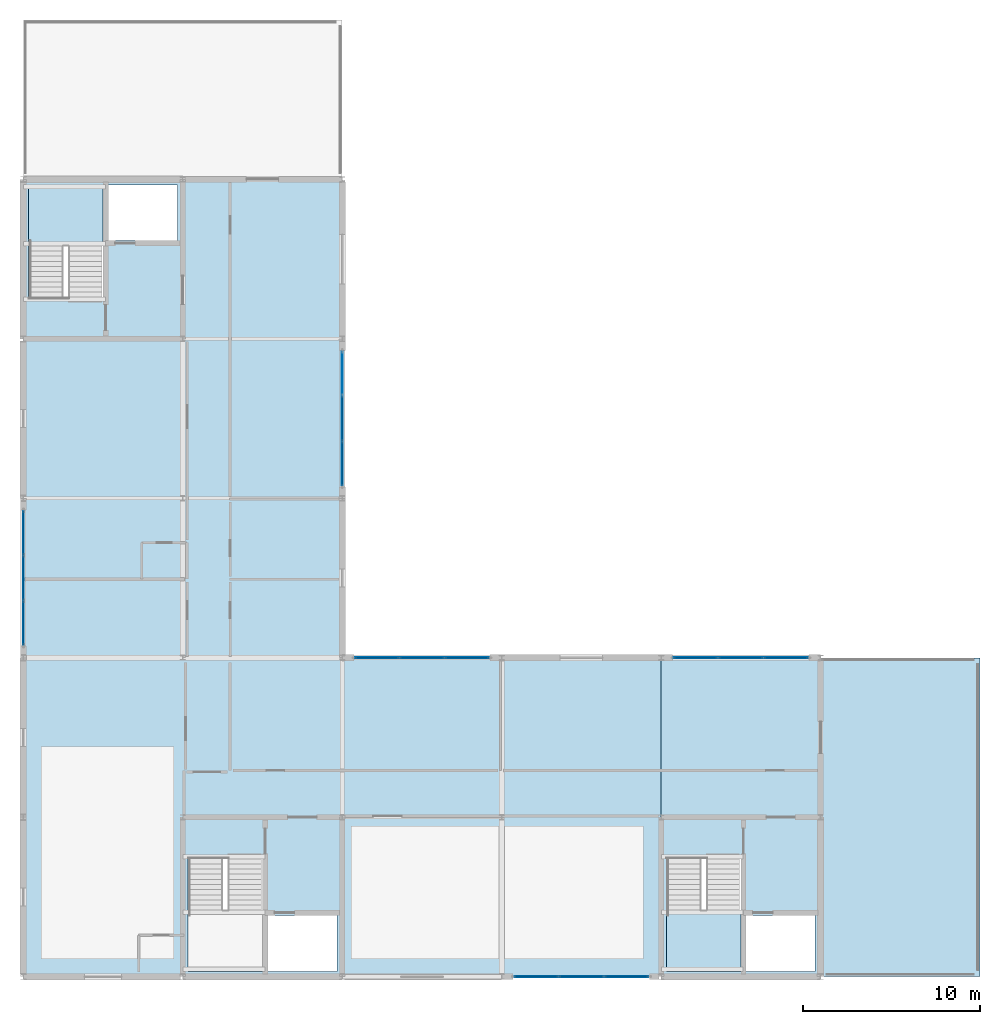
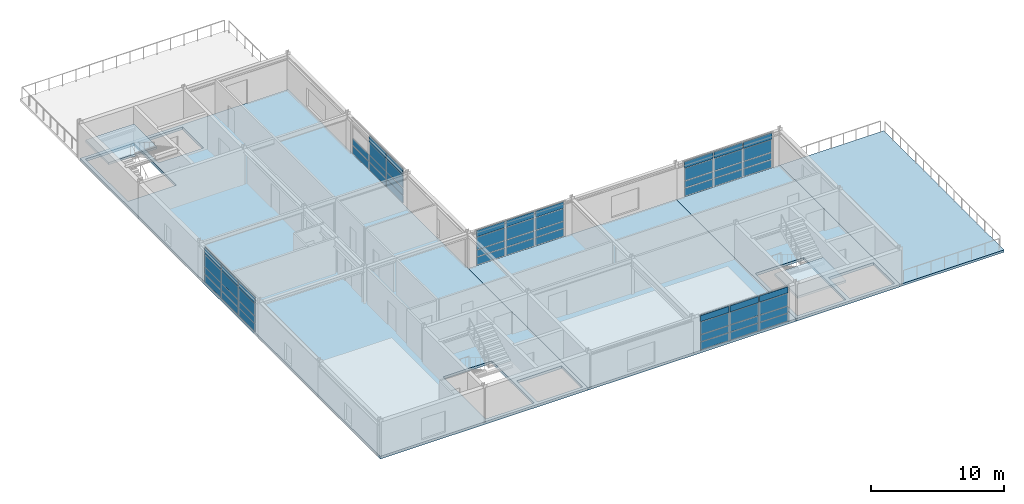
# One storey, part 7 of 11: 58 plates, 6 slabs, 5 elements without a shape of their own.
"""IFC4 building model written with IfcOpenShell, lengths in metres."""

from ifc_helpers import new_model, si_unit, direction, frame, origin, origin_2d, place, context, subcontext, project, spatial, polyline, rectangle, outline, extrude, material, layer, layer_set, type_object, element, aggregate, save


model = new_model("IFC4")

# Units and contexts
model_context = context("Model", 3, precision=1e-05, world=origin(), true_north=direction((0.0, 1.0)))
body_context = subcontext(model_context, "Body", "Model", "MODEL_VIEW")
ifc_project = project(units=[si_unit("LENGTHUNIT", "METRE"), si_unit("AREAUNIT", "SQUARE_METRE"), si_unit("VOLUMEUNIT", "CUBIC_METRE"), si_unit("PLANEANGLEUNIT", "RADIAN"), si_unit("MASSUNIT", "GRAM", prefix="KILO")], contexts=[model_context])

# Site, building, storey
site_placement = place(None, origin())
site = spatial("IfcSite", under=ifc_project, at=site_placement, CompositionType="ELEMENT")
building_placement = place(site_placement, origin())
building = spatial("IfcBuilding", under=site, at=building_placement, Name="Palais des Congres Ocreval", CompositionType="ELEMENT")
storey_placement = place(building_placement, frame((0.0, 0.0, 26.8798828125)))
storey = spatial("IfcBuildingStorey", under=building, at=storey_placement, Name="L08", CompositionType="ELEMENT", Elevation=26.8798828125)

# Curtain wall, plates
ifc_material_1 = material(Name="Anodized bronze aluminium and low-E glass", Category="glass")
curtain_wall_type = type_object("IfcCurtainWallType", Name="Unitised Curtain Wall 7900x3280", PredefinedType="USERDEFINED", material=ifc_material_1)
curtain_wall_1_placement = place(storey_placement, origin())
curtain_wall_1 = element("IfcCurtainWall", 1, at=curtain_wall_1_placement, inside=storey, type_object=curtain_wall_type, Name="Unitised Curtain Wall CW06 L08", ObjectType="UNITISED CURTAIN WALL", PredefinedType="USERDEFINED")
ifc_material_2 = material(Name="Acoustic triple glazing", Category="glass")
ifc_layer_1 = layer(ifc_material_2, 0.0439453125)
ifc_layer_set_1 = layer_set([ifc_layer_1], Name="Acoustic Laminated Glazing Panel 44 (Acoustic triple glazing)")
plate_type_1 = type_object("IfcPlateType", Name="Acoustic Laminated Glazing Panel 44", PredefinedType="CURTAIN_PANEL", material=ifc_layer_set_1)
plate_1_placement = place(storey_placement, frame((34.0478515625, 0.0, 0.06005859375), z_axis=(0.0, 0.0, 1.0), x_axis=(-1.0, 0.0, 0.0)))
plate_1 = element("IfcPlate", 2, at=plate_1_placement, type_object=plate_type_1, Name="Vision Glazing Panel VP02", PredefinedType="CURTAIN_PANEL", context=body_context, shape_type="SweptSolid", body=[
    extrude(rectangle(XDim=2.4541015625, YDim=0.0439453125, at=origin_2d()), origin(), (0.0, 0.0, 1.0), 0.68994140625),
])
plate_2_placement = place(storey_placement, frame((34.0478515625, 0.0, 0.81005859375), z_axis=(0.0, 0.0, 1.0), x_axis=(-1.0, 0.0, 0.0)))
plate_2 = element("IfcPlate", 3, at=plate_2_placement, type_object=plate_type_1, Name="Vision Glazing Panel VP02", PredefinedType="CURTAIN_PANEL", context=body_context, shape_type="SweptSolid", body=[
    extrude(rectangle(XDim=2.4541015625, YDim=0.0439453125, at=origin_2d()), origin(), (0.0, 0.0, 1.0), 0.60107421875),
])
plate_3_placement = place(storey_placement, frame((34.0478515625, 0.0, 1.47119140625), z_axis=(0.0, 0.0, 1.0), x_axis=(-1.0, 0.0, 0.0)))
plate_3 = element("IfcPlate", 4, at=plate_3_placement, type_object=plate_type_1, Name="Vision Glazing Panel VP02", PredefinedType="CURTAIN_PANEL", context=body_context, shape_type="SweptSolid", body=[
    extrude(rectangle(XDim=2.4541015625, YDim=0.0439453125, at=origin_2d()), origin(), (0.0, 0.0, 1.0), 1.118896484375),
])
plate_4_placement = place(storey_placement, frame((31.5, 0.0, 0.06005859375), z_axis=(0.0, 0.0, 1.0), x_axis=(-1.0, 0.0, 0.0)))
plate_4 = element("IfcPlate", 5, at=plate_4_placement, type_object=plate_type_1, Name="Vision Glazing Panel VP02", PredefinedType="CURTAIN_PANEL", context=body_context, shape_type="SweptSolid", body=[
    extrude(rectangle(XDim=2.49169921875, YDim=0.0439453125, at=origin_2d()), origin(), (0.0, 0.0, 1.0), 0.68994140625),
])
plate_5_placement = place(storey_placement, frame((31.5, 0.0, 0.81005859375), z_axis=(0.0, 0.0, 1.0), x_axis=(-1.0, 0.0, 0.0)))
plate_5 = element("IfcPlate", 6, at=plate_5_placement, type_object=plate_type_1, Name="Vision Glazing Panel VP02", PredefinedType="CURTAIN_PANEL", context=body_context, shape_type="SweptSolid", body=[
    extrude(rectangle(XDim=2.49169921875, YDim=0.0439453125, at=origin_2d()), origin(), (0.0, 0.0, 1.0), 0.60107421875),
])
plate_6_placement = place(storey_placement, frame((31.5, 0.0, 1.47119140625), z_axis=(0.0, 0.0, 1.0), x_axis=(-1.0, 0.0, 0.0)))
plate_6 = element("IfcPlate", 7, at=plate_6_placement, type_object=plate_type_1, Name="Vision Glazing Panel VP02", PredefinedType="CURTAIN_PANEL", context=body_context, shape_type="SweptSolid", body=[
    extrude(rectangle(XDim=2.49169921875, YDim=0.0439453125, at=origin_2d()), origin(), (0.0, 0.0, 1.0), 1.118896484375),
])
plate_7_placement = place(storey_placement, frame((28.9521484375, 0.0, 0.06005859375), z_axis=(0.0, 0.0, 1.0), x_axis=(-1.0, 0.0, 0.0)))
plate_7 = element("IfcPlate", 8, at=plate_7_placement, type_object=plate_type_1, Name="Vision Glazing Panel VP02", PredefinedType="CURTAIN_PANEL", context=body_context, shape_type="SweptSolid", body=[
    extrude(rectangle(XDim=2.4541015625, YDim=0.0439453125, at=origin_2d()), origin(), (0.0, 0.0, 1.0), 0.68994140625),
])
plate_8_placement = place(storey_placement, frame((28.9521484375, 0.0, 0.81005859375), z_axis=(0.0, 0.0, 1.0), x_axis=(-1.0, 0.0, 0.0)))
plate_8 = element("IfcPlate", 9, at=plate_8_placement, type_object=plate_type_1, Name="Vision Glazing Panel VP02", PredefinedType="CURTAIN_PANEL", context=body_context, shape_type="SweptSolid", body=[
    extrude(rectangle(XDim=2.4541015625, YDim=0.0439453125, at=origin_2d()), origin(), (0.0, 0.0, 1.0), 0.60107421875),
])
plate_9_placement = place(storey_placement, frame((28.9521484375, 0.0, 1.47119140625), z_axis=(0.0, 0.0, 1.0), x_axis=(-1.0, 0.0, 0.0)))
plate_9 = element("IfcPlate", 10, at=plate_9_placement, type_object=plate_type_1, Name="Vision Glazing Panel VP02", PredefinedType="CURTAIN_PANEL", context=body_context, shape_type="SweptSolid", body=[
    extrude(rectangle(XDim=2.4541015625, YDim=0.0439453125, at=origin_2d()), origin(), (0.0, 0.0, 1.0), 1.118896484375),
])

curtain_wall_2_placement = place(storey_placement, origin())
curtain_wall_2 = element("IfcCurtainWall", 11, at=curtain_wall_2_placement, inside=storey, type_object=curtain_wall_type, Name="Unitised Curtain Wall CW06 L08", ObjectType="UNITISED CURTAIN WALL", PredefinedType="USERDEFINED")
plate_10_placement = place(storey_placement, frame((19.9521484375, 18.0, 0.06005859375), z_axis=(0.0, 0.0, 1.0), x_axis=(1.0, 0.0, 0.0)))
plate_10 = element("IfcPlate", 12, at=plate_10_placement, type_object=plate_type_1, Name="Vision Glazing Panel VP02", PredefinedType="CURTAIN_PANEL", context=body_context, shape_type="SweptSolid", body=[
    extrude(rectangle(XDim=2.4541015625, YDim=0.0439453125, at=origin_2d()), origin(), (0.0, 0.0, 1.0), 0.68994140625),
])
plate_11_placement = place(storey_placement, frame((19.9521484375, 18.0, 0.81005859375), z_axis=(0.0, 0.0, 1.0), x_axis=(1.0, 0.0, 0.0)))
plate_11 = element("IfcPlate", 13, at=plate_11_placement, type_object=plate_type_1, Name="Vision Glazing Panel VP02", PredefinedType="CURTAIN_PANEL", context=body_context, shape_type="SweptSolid", body=[
    extrude(rectangle(XDim=2.4541015625, YDim=0.0439453125, at=origin_2d()), origin(), (0.0, 0.0, 1.0), 0.60107421875),
])
plate_12_placement = place(storey_placement, frame((19.9521484375, 18.0, 1.47119140625), z_axis=(0.0, 0.0, 1.0), x_axis=(1.0, 0.0, 0.0)))
plate_12 = element("IfcPlate", 14, at=plate_12_placement, type_object=plate_type_1, Name="Vision Glazing Panel VP02", PredefinedType="CURTAIN_PANEL", context=body_context, shape_type="SweptSolid", body=[
    extrude(rectangle(XDim=2.4541015625, YDim=0.0439453125, at=origin_2d()), origin(), (0.0, 0.0, 1.0), 1.118896484375),
])
plate_13_placement = place(storey_placement, frame((22.5, 18.0, 0.06005859375), z_axis=(0.0, 0.0, 1.0), x_axis=(1.0, 0.0, 0.0)))
plate_13 = element("IfcPlate", 15, at=plate_13_placement, type_object=plate_type_1, Name="Vision Glazing Panel VP02", PredefinedType="CURTAIN_PANEL", context=body_context, shape_type="SweptSolid", body=[
    extrude(rectangle(XDim=2.49169921875, YDim=0.0439453125, at=origin_2d()), origin(), (0.0, 0.0, 1.0), 0.68994140625),
])
plate_14_placement = place(storey_placement, frame((22.5, 18.0, 0.81005859375), z_axis=(0.0, 0.0, 1.0), x_axis=(1.0, 0.0, 0.0)))
plate_14 = element("IfcPlate", 16, at=plate_14_placement, type_object=plate_type_1, Name="Vision Glazing Panel VP02", PredefinedType="CURTAIN_PANEL", context=body_context, shape_type="SweptSolid", body=[
    extrude(rectangle(XDim=2.49169921875, YDim=0.0439453125, at=origin_2d()), origin(), (0.0, 0.0, 1.0), 0.60107421875),
])
plate_15_placement = place(storey_placement, frame((22.5, 18.0, 1.47119140625), z_axis=(0.0, 0.0, 1.0), x_axis=(1.0, 0.0, 0.0)))
plate_15 = element("IfcPlate", 17, at=plate_15_placement, type_object=plate_type_1, Name="Vision Glazing Panel VP02", PredefinedType="CURTAIN_PANEL", context=body_context, shape_type="SweptSolid", body=[
    extrude(rectangle(XDim=2.49169921875, YDim=0.0439453125, at=origin_2d()), origin(), (0.0, 0.0, 1.0), 1.118896484375),
])
plate_16_placement = place(storey_placement, frame((25.0478515625, 18.0, 0.06005859375), z_axis=(0.0, 0.0, 1.0), x_axis=(1.0, 0.0, 0.0)))
plate_16 = element("IfcPlate", 18, at=plate_16_placement, type_object=plate_type_1, Name="Vision Glazing Panel VP02", PredefinedType="CURTAIN_PANEL", context=body_context, shape_type="SweptSolid", body=[
    extrude(rectangle(XDim=2.4541015625, YDim=0.0439453125, at=origin_2d()), origin(), (0.0, 0.0, 1.0), 0.68994140625),
])
plate_17_placement = place(storey_placement, frame((25.0478515625, 18.0, 0.81005859375), z_axis=(0.0, 0.0, 1.0), x_axis=(1.0, 0.0, 0.0)))
plate_17 = element("IfcPlate", 19, at=plate_17_placement, type_object=plate_type_1, Name="Vision Glazing Panel VP02", PredefinedType="CURTAIN_PANEL", context=body_context, shape_type="SweptSolid", body=[
    extrude(rectangle(XDim=2.4541015625, YDim=0.0439453125, at=origin_2d()), origin(), (0.0, 0.0, 1.0), 0.60107421875),
])
plate_18_placement = place(storey_placement, frame((25.0478515625, 18.0, 1.47119140625), z_axis=(0.0, 0.0, 1.0), x_axis=(1.0, 0.0, 0.0)))
plate_18 = element("IfcPlate", 20, at=plate_18_placement, type_object=plate_type_1, Name="Vision Glazing Panel VP02", PredefinedType="CURTAIN_PANEL", context=body_context, shape_type="SweptSolid", body=[
    extrude(rectangle(XDim=2.4541015625, YDim=0.0439453125, at=origin_2d()), origin(), (0.0, 0.0, 1.0), 1.118896484375),
])

curtain_wall_3_placement = place(storey_placement, origin())
curtain_wall_3 = element("IfcCurtainWall", 21, at=curtain_wall_3_placement, inside=storey, type_object=curtain_wall_type, Name="Unitised Curtain Wall CW06 L08", ObjectType="UNITISED CURTAIN WALL", PredefinedType="USERDEFINED")
ifc_material_3 = material(Name="Anodized bronze aluminium", Category="aluminium")
ifc_layer_2 = layer(ifc_material_3, 0.06005859375)
ifc_layer_set_2 = layer_set([ifc_layer_2], Name="Anodized Bronze Spandrel Cassette 60 (Anodized bronze aluminium)")
plate_type_2 = type_object("IfcPlateType", Name="Anodized Bronze Spandrel Cassette 60", PredefinedType="SHEET", material=ifc_layer_set_2)
plate_19_placement = place(storey_placement, frame((0.0, 19.9521484375, 2.650146484375), z_axis=(0.0, 0.0, 1.0), x_axis=(0.0, 1.0, 0.0)))
plate_19 = element("IfcPlate", 22, at=plate_19_placement, type_object=plate_type_2, Name="Spandrel Sheet SPN1", PredefinedType="SHEET", context=body_context, shape_type="SweptSolid", body=[
    extrude(rectangle(XDim=2.4541015625, YDim=0.06005859375, at=origin_2d()), origin(), (0.0, 0.0, 1.0), 0.56005859375),
])
plate_20_placement = place(storey_placement, frame((0.0, 22.5, 2.650146484375), z_axis=(0.0, 0.0, 1.0), x_axis=(0.0, 1.0, 0.0)))
plate_20 = element("IfcPlate", 23, at=plate_20_placement, type_object=plate_type_2, Name="Spandrel Sheet SPN1", PredefinedType="SHEET", context=body_context, shape_type="SweptSolid", body=[
    extrude(rectangle(XDim=2.49169921875, YDim=0.06005859375, at=origin_2d()), origin(), (0.0, 0.0, 1.0), 0.56005859375),
])
plate_21_placement = place(storey_placement, frame((0.0, 25.0478515625, 2.650146484375), z_axis=(0.0, 0.0, 1.0), x_axis=(0.0, 1.0, 0.0)))
plate_21 = element("IfcPlate", 24, at=plate_21_placement, type_object=plate_type_2, Name="Spandrel Sheet SPN1", PredefinedType="SHEET", context=body_context, shape_type="SweptSolid", body=[
    extrude(rectangle(XDim=2.4541015625, YDim=0.06005859375, at=origin_2d()), origin(), (0.0, 0.0, 1.0), 0.56005859375),
])

# Plate
plate_22_placement = place(storey_placement, frame((19.9521484375, 18.0, 2.650146484375), z_axis=(0.0, 0.0, 1.0), x_axis=(1.0, 0.0, 0.0)))
plate_22 = element("IfcPlate", 25, at=plate_22_placement, type_object=plate_type_2, Name="Spandrel Sheet SPN1", PredefinedType="SHEET", context=body_context, shape_type="SweptSolid", body=[
    extrude(rectangle(XDim=2.4541015625, YDim=0.06005859375, at=origin_2d()), origin(), (0.0, 0.0, 1.0), 0.56005859375),
])

plate_23_placement = place(storey_placement, frame((22.5, 18.0, 2.650146484375), z_axis=(0.0, 0.0, 1.0), x_axis=(1.0, 0.0, 0.0)))
plate_23 = element("IfcPlate", 26, at=plate_23_placement, type_object=plate_type_2, Name="Spandrel Sheet SPN1", PredefinedType="SHEET", context=body_context, shape_type="SweptSolid", body=[
    extrude(rectangle(XDim=2.49169921875, YDim=0.06005859375, at=origin_2d()), origin(), (0.0, 0.0, 1.0), 0.56005859375),
])

plate_24_placement = place(storey_placement, frame((25.0478515625, 18.0, 2.650146484375), z_axis=(0.0, 0.0, 1.0), x_axis=(1.0, 0.0, 0.0)))
plate_24 = element("IfcPlate", 27, at=plate_24_placement, type_object=plate_type_2, Name="Spandrel Sheet SPN1", PredefinedType="SHEET", context=body_context, shape_type="SweptSolid", body=[
    extrude(rectangle(XDim=2.4541015625, YDim=0.06005859375, at=origin_2d()), origin(), (0.0, 0.0, 1.0), 0.56005859375),
])

aggregate(curtain_wall_2, [plate_10, plate_11, plate_12, plate_22, plate_13, plate_14, plate_15, plate_23, plate_16, plate_17, plate_18, plate_24])

ifc_material_4 = material(Name="Low-E solar-control double glazing", Category="glass")
ifc_layer_3 = layer(ifc_material_4, 0.031982421875)
ifc_layer_set_3 = layer_set([ifc_layer_3], Name="Galleria Clear Vision Panel 32 (Low-E solar-control double glazing)")
plate_type_3 = type_object("IfcPlateType", Name="Galleria Clear Vision Panel 32", PredefinedType="CURTAIN_PANEL", material=ifc_layer_set_3)
plate_25_placement = place(storey_placement, frame((0.0, 19.9521484375, 0.06005859375), z_axis=(0.0, 0.0, 1.0), x_axis=(0.0, 1.0, 0.0)))
plate_25 = element("IfcPlate", 28, at=plate_25_placement, type_object=plate_type_3, Name="Vision Glazing Panel VP03", PredefinedType="CURTAIN_PANEL", context=body_context, shape_type="SweptSolid", body=[
    extrude(rectangle(XDim=2.4541015625, YDim=0.031982421875, at=origin_2d()), origin(), (0.0, 0.0, 1.0), 0.68994140625),
])

plate_26_placement = place(storey_placement, frame((0.0, 19.9521484375, 0.81005859375), z_axis=(0.0, 0.0, 1.0), x_axis=(0.0, 1.0, 0.0)))
plate_26 = element("IfcPlate", 29, at=plate_26_placement, type_object=plate_type_3, Name="Vision Glazing Panel VP03", PredefinedType="CURTAIN_PANEL", context=body_context, shape_type="SweptSolid", body=[
    extrude(rectangle(XDim=2.4541015625, YDim=0.031982421875, at=origin_2d()), origin(), (0.0, 0.0, 1.0), 0.60107421875),
])

plate_27_placement = place(storey_placement, frame((0.0, 19.9521484375, 1.47119140625), z_axis=(0.0, 0.0, 1.0), x_axis=(0.0, 1.0, 0.0)))
plate_27 = element("IfcPlate", 30, at=plate_27_placement, type_object=plate_type_3, Name="Vision Glazing Panel VP03", PredefinedType="CURTAIN_PANEL", context=body_context, shape_type="SweptSolid", body=[
    extrude(rectangle(XDim=2.4541015625, YDim=0.031982421875, at=origin_2d()), origin(), (0.0, 0.0, 1.0), 1.118896484375),
])

plate_28_placement = place(storey_placement, frame((0.0, 22.5, 0.06005859375), z_axis=(0.0, 0.0, 1.0), x_axis=(0.0, 1.0, 0.0)))
plate_28 = element("IfcPlate", 31, at=plate_28_placement, type_object=plate_type_3, Name="Vision Glazing Panel VP03", PredefinedType="CURTAIN_PANEL", context=body_context, shape_type="SweptSolid", body=[
    extrude(rectangle(XDim=2.49169921875, YDim=0.031982421875, at=origin_2d()), origin(), (0.0, 0.0, 1.0), 0.68994140625),
])

plate_29_placement = place(storey_placement, frame((0.0, 22.5, 0.81005859375), z_axis=(0.0, 0.0, 1.0), x_axis=(0.0, 1.0, 0.0)))
plate_29 = element("IfcPlate", 32, at=plate_29_placement, type_object=plate_type_3, Name="Vision Glazing Panel VP03", PredefinedType="CURTAIN_PANEL", context=body_context, shape_type="SweptSolid", body=[
    extrude(rectangle(XDim=2.49169921875, YDim=0.031982421875, at=origin_2d()), origin(), (0.0, 0.0, 1.0), 0.60107421875),
])

plate_30_placement = place(storey_placement, frame((0.0, 22.5, 1.47119140625), z_axis=(0.0, 0.0, 1.0), x_axis=(0.0, 1.0, 0.0)))
plate_30 = element("IfcPlate", 33, at=plate_30_placement, type_object=plate_type_3, Name="Vision Glazing Panel VP03", PredefinedType="CURTAIN_PANEL", context=body_context, shape_type="SweptSolid", body=[
    extrude(rectangle(XDim=2.49169921875, YDim=0.031982421875, at=origin_2d()), origin(), (0.0, 0.0, 1.0), 1.118896484375),
])

plate_31_placement = place(storey_placement, frame((0.0, 25.0478515625, 0.06005859375), z_axis=(0.0, 0.0, 1.0), x_axis=(0.0, 1.0, 0.0)))
plate_31 = element("IfcPlate", 34, at=plate_31_placement, type_object=plate_type_3, Name="Vision Glazing Panel VP03", PredefinedType="CURTAIN_PANEL", context=body_context, shape_type="SweptSolid", body=[
    extrude(rectangle(XDim=2.4541015625, YDim=0.031982421875, at=origin_2d()), origin(), (0.0, 0.0, 1.0), 0.68994140625),
])

plate_32_placement = place(storey_placement, frame((0.0, 25.0478515625, 0.81005859375), z_axis=(0.0, 0.0, 1.0), x_axis=(0.0, 1.0, 0.0)))
plate_32 = element("IfcPlate", 35, at=plate_32_placement, type_object=plate_type_3, Name="Vision Glazing Panel VP03", PredefinedType="CURTAIN_PANEL", context=body_context, shape_type="SweptSolid", body=[
    extrude(rectangle(XDim=2.4541015625, YDim=0.031982421875, at=origin_2d()), origin(), (0.0, 0.0, 1.0), 0.60107421875),
])

plate_33_placement = place(storey_placement, frame((0.0, 25.0478515625, 1.47119140625), z_axis=(0.0, 0.0, 1.0), x_axis=(0.0, 1.0, 0.0)))
plate_33 = element("IfcPlate", 36, at=plate_33_placement, type_object=plate_type_3, Name="Vision Glazing Panel VP03", PredefinedType="CURTAIN_PANEL", context=body_context, shape_type="SweptSolid", body=[
    extrude(rectangle(XDim=2.4541015625, YDim=0.031982421875, at=origin_2d()), origin(), (0.0, 0.0, 1.0), 1.118896484375),
])

aggregate(curtain_wall_3, [plate_25, plate_26, plate_27, plate_19, plate_28, plate_29, plate_30, plate_20, plate_31, plate_32, plate_33, plate_21])

# Curtain wall, plates
curtain_wall_4_placement = place(storey_placement, origin())
curtain_wall_4 = element("IfcCurtainWall", 37, at=curtain_wall_4_placement, inside=storey, type_object=curtain_wall_type, Name="Unitised Curtain Wall CW06 L08", ObjectType="UNITISED CURTAIN WALL", PredefinedType="USERDEFINED")
plate_34_placement = place(storey_placement, frame((37.9521484375, 18.0, 0.06005859375), z_axis=(0.0, 0.0, 1.0), x_axis=(1.0, 0.0, 0.0)))
plate_34 = element("IfcPlate", 38, at=plate_34_placement, type_object=plate_type_3, Name="Vision Glazing Panel VP03", PredefinedType="CURTAIN_PANEL", context=body_context, shape_type="SweptSolid", body=[
    extrude(rectangle(XDim=2.4541015625, YDim=0.031982421875, at=origin_2d()), origin(), (0.0, 0.0, 1.0), 0.68994140625),
])
plate_35_placement = place(storey_placement, frame((37.9521484375, 18.0, 0.81005859375), z_axis=(0.0, 0.0, 1.0), x_axis=(1.0, 0.0, 0.0)))
plate_35 = element("IfcPlate", 39, at=plate_35_placement, type_object=plate_type_3, Name="Vision Glazing Panel VP03", PredefinedType="CURTAIN_PANEL", context=body_context, shape_type="SweptSolid", body=[
    extrude(rectangle(XDim=2.4541015625, YDim=0.031982421875, at=origin_2d()), origin(), (0.0, 0.0, 1.0), 0.60107421875),
])
plate_36_placement = place(storey_placement, frame((37.9521484375, 18.0, 1.47119140625), z_axis=(0.0, 0.0, 1.0), x_axis=(1.0, 0.0, 0.0)))
plate_36 = element("IfcPlate", 40, at=plate_36_placement, type_object=plate_type_3, Name="Vision Glazing Panel VP03", PredefinedType="CURTAIN_PANEL", context=body_context, shape_type="SweptSolid", body=[
    extrude(rectangle(XDim=2.4541015625, YDim=0.031982421875, at=origin_2d()), origin(), (0.0, 0.0, 1.0), 1.118896484375),
])
plate_37_placement = place(storey_placement, frame((40.5, 18.0, 0.06005859375), z_axis=(0.0, 0.0, 1.0), x_axis=(1.0, 0.0, 0.0)))
plate_37 = element("IfcPlate", 41, at=plate_37_placement, type_object=plate_type_3, Name="Vision Glazing Panel VP03", PredefinedType="CURTAIN_PANEL", context=body_context, shape_type="SweptSolid", body=[
    extrude(rectangle(XDim=2.49169921875, YDim=0.031982421875, at=origin_2d()), origin(), (0.0, 0.0, 1.0), 0.68994140625),
])
plate_38_placement = place(storey_placement, frame((40.5, 18.0, 0.81005859375), z_axis=(0.0, 0.0, 1.0), x_axis=(1.0, 0.0, 0.0)))
plate_38 = element("IfcPlate", 42, at=plate_38_placement, type_object=plate_type_3, Name="Vision Glazing Panel VP03", PredefinedType="CURTAIN_PANEL", context=body_context, shape_type="SweptSolid", body=[
    extrude(rectangle(XDim=2.49169921875, YDim=0.031982421875, at=origin_2d()), origin(), (0.0, 0.0, 1.0), 0.60107421875),
])
plate_39_placement = place(storey_placement, frame((40.5, 18.0, 1.47119140625), z_axis=(0.0, 0.0, 1.0), x_axis=(1.0, 0.0, 0.0)))
plate_39 = element("IfcPlate", 43, at=plate_39_placement, type_object=plate_type_3, Name="Vision Glazing Panel VP03", PredefinedType="CURTAIN_PANEL", context=body_context, shape_type="SweptSolid", body=[
    extrude(rectangle(XDim=2.49169921875, YDim=0.031982421875, at=origin_2d()), origin(), (0.0, 0.0, 1.0), 1.118896484375),
])
plate_40_placement = place(storey_placement, frame((43.0478515625, 18.0, 0.06005859375), z_axis=(0.0, 0.0, 1.0), x_axis=(1.0, 0.0, 0.0)))
plate_40 = element("IfcPlate", 44, at=plate_40_placement, type_object=plate_type_3, Name="Vision Glazing Panel VP03", PredefinedType="CURTAIN_PANEL", context=body_context, shape_type="SweptSolid", body=[
    extrude(rectangle(XDim=2.4541015625, YDim=0.031982421875, at=origin_2d()), origin(), (0.0, 0.0, 1.0), 0.68994140625),
])
plate_41_placement = place(storey_placement, frame((43.0478515625, 18.0, 0.81005859375), z_axis=(0.0, 0.0, 1.0), x_axis=(1.0, 0.0, 0.0)))
plate_41 = element("IfcPlate", 45, at=plate_41_placement, type_object=plate_type_3, Name="Vision Glazing Panel VP03", PredefinedType="CURTAIN_PANEL", context=body_context, shape_type="SweptSolid", body=[
    extrude(rectangle(XDim=2.4541015625, YDim=0.031982421875, at=origin_2d()), origin(), (0.0, 0.0, 1.0), 0.60107421875),
])
plate_42_placement = place(storey_placement, frame((43.0478515625, 18.0, 1.47119140625), z_axis=(0.0, 0.0, 1.0), x_axis=(1.0, 0.0, 0.0)))
plate_42 = element("IfcPlate", 46, at=plate_42_placement, type_object=plate_type_3, Name="Vision Glazing Panel VP03", PredefinedType="CURTAIN_PANEL", context=body_context, shape_type="SweptSolid", body=[
    extrude(rectangle(XDim=2.4541015625, YDim=0.031982421875, at=origin_2d()), origin(), (0.0, 0.0, 1.0), 1.118896484375),
])

curtain_wall_5_placement = place(storey_placement, origin())
curtain_wall_5 = element("IfcCurtainWall", 47, at=curtain_wall_5_placement, inside=storey, type_object=curtain_wall_type, Name="Unitised Curtain Wall CW06 L08", ObjectType="UNITISED CURTAIN WALL", PredefinedType="USERDEFINED")
ifc_layer_4 = layer(ifc_material_4, 0.035888671875)
ifc_layer_set_4 = layer_set([ifc_layer_4], Name="Low-E Vision Glazing Panel 36 (Low-E solar-control double glazing)")
plate_type_4 = type_object("IfcPlateType", Name="Low-E Vision Glazing Panel 36", PredefinedType="CURTAIN_PANEL", material=ifc_layer_set_4)
plate_43_placement = place(storey_placement, frame((18.0, 34.0478515625, 0.06005859375), z_axis=(0.0, 0.0, 1.0), x_axis=(0.0, -1.0, 0.0)))
plate_43 = element("IfcPlate", 48, at=plate_43_placement, type_object=plate_type_4, Name="Vision Glazing Panel VP01", PredefinedType="CURTAIN_PANEL", context=body_context, shape_type="SweptSolid", body=[
    extrude(rectangle(XDim=2.4541015625, YDim=0.035888671875, at=origin_2d()), origin(), (0.0, 0.0, 1.0), 0.68994140625),
])
plate_44_placement = place(storey_placement, frame((18.0, 34.0478515625, 0.81005859375), z_axis=(0.0, 0.0, 1.0), x_axis=(0.0, -1.0, 0.0)))
plate_44 = element("IfcPlate", 49, at=plate_44_placement, type_object=plate_type_4, Name="Vision Glazing Panel VP01", PredefinedType="CURTAIN_PANEL", context=body_context, shape_type="SweptSolid", body=[
    extrude(rectangle(XDim=2.4541015625, YDim=0.035888671875, at=origin_2d()), origin(), (0.0, 0.0, 1.0), 0.60107421875),
])
plate_45_placement = place(storey_placement, frame((18.0, 31.5, 0.06005859375), z_axis=(0.0, 0.0, 1.0), x_axis=(0.0, -1.0, 0.0)))
plate_45 = element("IfcPlate", 50, at=plate_45_placement, type_object=plate_type_4, Name="Vision Glazing Panel VP01", PredefinedType="CURTAIN_PANEL", context=body_context, shape_type="SweptSolid", body=[
    extrude(rectangle(XDim=2.49169921875, YDim=0.035888671875, at=origin_2d()), origin(), (0.0, 0.0, 1.0), 0.68994140625),
])
plate_46_placement = place(storey_placement, frame((18.0, 31.5, 0.81005859375), z_axis=(0.0, 0.0, 1.0), x_axis=(0.0, -1.0, 0.0)))
plate_46 = element("IfcPlate", 51, at=plate_46_placement, type_object=plate_type_4, Name="Vision Glazing Panel VP01", PredefinedType="CURTAIN_PANEL", context=body_context, shape_type="SweptSolid", body=[
    extrude(rectangle(XDim=2.49169921875, YDim=0.035888671875, at=origin_2d()), origin(), (0.0, 0.0, 1.0), 0.60107421875),
])
plate_47_placement = place(storey_placement, frame((18.0, 31.5, 1.47119140625), z_axis=(0.0, 0.0, 1.0), x_axis=(0.0, -1.0, 0.0)))
plate_47 = element("IfcPlate", 52, at=plate_47_placement, type_object=plate_type_4, Name="Vision Glazing Panel VP01", PredefinedType="CURTAIN_PANEL", context=body_context, shape_type="SweptSolid", body=[
    extrude(rectangle(XDim=2.49169921875, YDim=0.035888671875, at=origin_2d()), origin(), (0.0, 0.0, 1.0), 1.118896484375),
])
plate_48_placement = place(storey_placement, frame((18.0, 28.9521484375, 0.06005859375), z_axis=(0.0, 0.0, 1.0), x_axis=(0.0, -1.0, 0.0)))
plate_48 = element("IfcPlate", 53, at=plate_48_placement, type_object=plate_type_4, Name="Vision Glazing Panel VP01", PredefinedType="CURTAIN_PANEL", context=body_context, shape_type="SweptSolid", body=[
    extrude(rectangle(XDim=2.4541015625, YDim=0.035888671875, at=origin_2d()), origin(), (0.0, 0.0, 1.0), 0.68994140625),
])
plate_49_placement = place(storey_placement, frame((18.0, 28.9521484375, 0.81005859375), z_axis=(0.0, 0.0, 1.0), x_axis=(0.0, -1.0, 0.0)))
plate_49 = element("IfcPlate", 54, at=plate_49_placement, type_object=plate_type_4, Name="Vision Glazing Panel VP01", PredefinedType="CURTAIN_PANEL", context=body_context, shape_type="SweptSolid", body=[
    extrude(rectangle(XDim=2.4541015625, YDim=0.035888671875, at=origin_2d()), origin(), (0.0, 0.0, 1.0), 0.60107421875),
])
plate_50_placement = place(storey_placement, frame((18.0, 28.9521484375, 1.47119140625), z_axis=(0.0, 0.0, 1.0), x_axis=(0.0, -1.0, 0.0)))
plate_50 = element("IfcPlate", 55, at=plate_50_placement, type_object=plate_type_4, Name="Vision Glazing Panel VP01", PredefinedType="CURTAIN_PANEL", context=body_context, shape_type="SweptSolid", body=[
    extrude(rectangle(XDim=2.4541015625, YDim=0.035888671875, at=origin_2d()), origin(), (0.0, 0.0, 1.0), 1.118896484375),
])

# Slabs
ifc_material_5 = material(Name="Concrete C40/50", Category="concrete")
ifc_layer_5 = layer(ifc_material_5, 0.219970703125)
ifc_layer_set_5 = layer_set([ifc_layer_5], Name="Post-Tensioned Hotel Slab 220 Concrete C40/50")
slab_type_1 = type_object("IfcSlabType", Name="Post-Tensioned Hotel Slab 220 Concrete C40/50", PredefinedType="FLOOR", material=ifc_layer_set_5)
slab_1_placement = place(storey_placement, frame((0.0, 0.0, -0.219970703125)))
element("IfcSlab", 56, at=slab_1_placement, inside=storey, type_object=slab_type_1, Name="Sky Restaurant Panoramic Terrace", PredefinedType="FLOOR", context=body_context, shape_type="SweptSolid", body=[
    extrude(outline(polyline([(45.0, 0.0), (45.0, 18.0), (54.0, 18.0), (54.0, 0.0), (45.0, 0.0)])), origin(), (0.0, 0.0, 1.0), 0.219970703125),
])
ifc_layer_6 = layer(ifc_material_5, 0.199951171875)
ifc_layer_set_6 = layer_set([ifc_layer_6], Name="Stair and Ramp Landing Slab 200 Concrete C40/50")
slab_type_2 = type_object("IfcSlabType", Name="Stair and Ramp Landing Slab 200 Concrete C40/50", PredefinedType="LANDING", material=ifc_layer_set_6)
slab_2_placement = place(storey_placement, frame((0.0, 0.0, 1.56005859375)))
element("IfcSlab", 57, at=slab_2_placement, inside=storey, type_object=slab_type_2, Name="Stair Half-Landing ST02 L08", PredefinedType="LANDING", context=body_context, shape_type="SweptSolid", body=[
    extrude(outline(polyline([(36.300048828125, 0.300048828125), (40.5, 0.300048828125), (40.5, 3.75), (36.300048828125, 3.75), (36.300048828125, 0.300048828125)])), origin(), (0.0, 0.0, 1.0), 0.199951171875),
])
slab_3_placement = place(storey_placement, frame((0.0, 0.0, 1.56005859375)))
element("IfcSlab", 58, at=slab_3_placement, inside=storey, type_object=slab_type_2, Name="Stair Half-Landing ST03 L08", PredefinedType="LANDING", context=body_context, shape_type="SweptSolid", body=[
    extrude(outline(polyline([(0.300048828125, 41.25), (4.5, 41.25), (4.5, 44.699951171875), (0.300048828125, 44.699951171875), (0.300048828125, 41.25)])), origin(), (0.0, 0.0, 1.0), 0.199951171875),
])

# Plate
ifc_material_6 = material(Name="Terracotta ceramic spandrel", Category="masonry")
ifc_layer_7 = layer(ifc_material_6, 0.080078125)
ifc_layer_set_7 = layer_set([ifc_layer_7], Name="Terracotta Insulated Spandrel Sheet 80 (Terracotta ceramic spandrel)")
plate_type_5 = type_object("IfcPlateType", Name="Terracotta Insulated Spandrel Sheet 80", PredefinedType="SHEET", material=ifc_layer_set_7)
plate_51_placement = place(storey_placement, frame((34.0478515625, 0.0, 2.650146484375), z_axis=(0.0, 0.0, 1.0), x_axis=(-1.0, 0.0, 0.0)))
plate_51 = element("IfcPlate", 59, at=plate_51_placement, type_object=plate_type_5, Name="Spandrel Sheet SPN2", PredefinedType="SHEET", context=body_context, shape_type="SweptSolid", body=[
    extrude(rectangle(XDim=2.4541015625, YDim=0.080078125, at=origin_2d()), origin(), (0.0, 0.0, 1.0), 0.56005859375),
])

plate_52_placement = place(storey_placement, frame((31.5, 0.0, 2.650146484375), z_axis=(0.0, 0.0, 1.0), x_axis=(-1.0, 0.0, 0.0)))
plate_52 = element("IfcPlate", 60, at=plate_52_placement, type_object=plate_type_5, Name="Spandrel Sheet SPN2", PredefinedType="SHEET", context=body_context, shape_type="SweptSolid", body=[
    extrude(rectangle(XDim=2.49169921875, YDim=0.080078125, at=origin_2d()), origin(), (0.0, 0.0, 1.0), 0.56005859375),
])

plate_53_placement = place(storey_placement, frame((28.9521484375, 0.0, 2.650146484375), z_axis=(0.0, 0.0, 1.0), x_axis=(-1.0, 0.0, 0.0)))
plate_53 = element("IfcPlate", 61, at=plate_53_placement, type_object=plate_type_5, Name="Spandrel Sheet SPN2", PredefinedType="SHEET", context=body_context, shape_type="SweptSolid", body=[
    extrude(rectangle(XDim=2.4541015625, YDim=0.080078125, at=origin_2d()), origin(), (0.0, 0.0, 1.0), 0.56005859375),
])

aggregate(curtain_wall_1, [plate_1, plate_2, plate_3, plate_51, plate_4, plate_5, plate_6, plate_52, plate_7, plate_8, plate_9, plate_53])

plate_54_placement = place(storey_placement, frame((18.0, 31.5, 2.650146484375), z_axis=(0.0, 0.0, 1.0), x_axis=(0.0, -1.0, 0.0)))
plate_54 = element("IfcPlate", 62, at=plate_54_placement, type_object=plate_type_5, Name="Spandrel Sheet SPN2", PredefinedType="SHEET", context=body_context, shape_type="SweptSolid", body=[
    extrude(rectangle(XDim=2.49169921875, YDim=0.080078125, at=origin_2d()), origin(), (0.0, 0.0, 1.0), 0.56005859375),
])

plate_55_placement = place(storey_placement, frame((18.0, 28.9521484375, 2.650146484375), z_axis=(0.0, 0.0, 1.0), x_axis=(0.0, -1.0, 0.0)))
plate_55 = element("IfcPlate", 63, at=plate_55_placement, type_object=plate_type_5, Name="Spandrel Sheet SPN2", PredefinedType="SHEET", context=body_context, shape_type="SweptSolid", body=[
    extrude(rectangle(XDim=2.4541015625, YDim=0.080078125, at=origin_2d()), origin(), (0.0, 0.0, 1.0), 0.56005859375),
])

aggregate(curtain_wall_5, [plate_43, plate_44, plate_45, plate_46, plate_47, plate_54, plate_48, plate_49, plate_50, plate_55])

plate_56_placement = place(storey_placement, frame((37.9521484375, 18.0, 2.650146484375), z_axis=(0.0, 0.0, 1.0), x_axis=(1.0, 0.0, 0.0)))
plate_56 = element("IfcPlate", 64, at=plate_56_placement, type_object=plate_type_5, Name="Spandrel Sheet SPN2", PredefinedType="SHEET", context=body_context, shape_type="SweptSolid", body=[
    extrude(rectangle(XDim=2.4541015625, YDim=0.080078125, at=origin_2d()), origin(), (0.0, 0.0, 1.0), 0.56005859375),
])

plate_57_placement = place(storey_placement, frame((40.5, 18.0, 2.650146484375), z_axis=(0.0, 0.0, 1.0), x_axis=(1.0, 0.0, 0.0)))
plate_57 = element("IfcPlate", 65, at=plate_57_placement, type_object=plate_type_5, Name="Spandrel Sheet SPN2", PredefinedType="SHEET", context=body_context, shape_type="SweptSolid", body=[
    extrude(rectangle(XDim=2.49169921875, YDim=0.080078125, at=origin_2d()), origin(), (0.0, 0.0, 1.0), 0.56005859375),
])

plate_58_placement = place(storey_placement, frame((43.0478515625, 18.0, 2.650146484375), z_axis=(0.0, 0.0, 1.0), x_axis=(1.0, 0.0, 0.0)))
plate_58 = element("IfcPlate", 66, at=plate_58_placement, type_object=plate_type_5, Name="Spandrel Sheet SPN2", PredefinedType="SHEET", context=body_context, shape_type="SweptSolid", body=[
    extrude(rectangle(XDim=2.4541015625, YDim=0.080078125, at=origin_2d()), origin(), (0.0, 0.0, 1.0), 0.56005859375),
])

aggregate(curtain_wall_4, [plate_34, plate_35, plate_36, plate_56, plate_37, plate_38, plate_39, plate_57, plate_40, plate_41, plate_42, plate_58])

# Slabs
ifc_layer_8 = layer(ifc_material_5, 0.239990234375)
ifc_layer_set_8 = layer_set([ifc_layer_8], Name="Transfer and Crown Floor Slab 240 Concrete C40/50")
slab_type_3 = type_object("IfcSlabType", Name="Transfer and Crown Floor Slab 240 Concrete C40/50", PredefinedType="FLOOR", material=ifc_layer_set_8)
slab_4_placement = place(storey_placement, frame((0.0, 0.0, -0.239990234375)))
element("IfcSlab", 67, at=slab_4_placement, inside=storey, type_object=slab_type_3, Name="Floor Slab SL10 L08 V4-1", PredefinedType="FLOOR", context=body_context, shape_type="SweptSolid", body=[
    extrude(outline(polyline([(0.0, 0.0), (0.0, 18.0), (0.0, 45.0), (18.0, 45.0), (18.0, 18.0), (18.0, 0.0), (0.0, 0.0)]), holes=[polyline([(17.699951171875, 0.300048828125), (17.699951171875, 3.449951171875), (13.800048828125, 3.449951171875), (13.800048828125, 0.300048828125), (17.699951171875, 0.300048828125)]), polyline([(9.300048828125, 0.300048828125), (13.5, 0.300048828125), (13.5, 6.64990234375), (9.300048828125, 6.64990234375), (9.300048828125, 0.300048828125)]), polyline([(0.300048828125, 38.35009765625), (4.5, 38.35009765625), (4.5, 44.699951171875), (0.300048828125, 44.699951171875), (0.300048828125, 38.35009765625)]), polyline([(4.800048828125, 41.550048828125), (8.699951171875, 41.550048828125), (8.699951171875, 44.699951171875), (4.800048828125, 44.699951171875), (4.800048828125, 41.550048828125)])]), origin(), (0.0, 0.0, 1.0), 0.239990234375),
])
slab_5_placement = place(storey_placement, frame((0.0, 0.0, -0.239990234375)))
element("IfcSlab", 68, at=slab_5_placement, inside=storey, type_object=slab_type_3, Name="Floor Slab SL10 L08 V4-2", PredefinedType="FLOOR", context=body_context, shape_type="SweptSolid", body=[
    extrude(outline(polyline([(18.0, 0.0), (18.0, 18.0), (36.0, 18.0), (36.0, 0.0), (18.0, 0.0)])), origin(), (0.0, 0.0, 1.0), 0.239990234375),
])
slab_6_placement = place(storey_placement, frame((0.0, 0.0, -0.239990234375)))
element("IfcSlab", 69, at=slab_6_placement, inside=storey, type_object=slab_type_3, Name="Floor Slab SL10 L08 V4-3", PredefinedType="FLOOR", context=body_context, shape_type="SweptSolid", body=[
    extrude(outline(polyline([(36.0, 0.0), (36.0, 18.0), (45.0, 18.0), (45.0, 0.0), (36.0, 0.0)]), holes=[polyline([(40.800048828125, 0.300048828125), (44.699951171875, 0.300048828125), (44.699951171875, 3.449951171875), (40.800048828125, 3.449951171875), (40.800048828125, 0.300048828125)]), polyline([(40.5, 0.300048828125), (40.5, 6.64990234375), (36.300048828125, 6.64990234375), (36.300048828125, 0.300048828125), (40.5, 0.300048828125)])]), origin(), (0.0, 0.0, 1.0), 0.239990234375),
])

save(model, "model.ifc")
